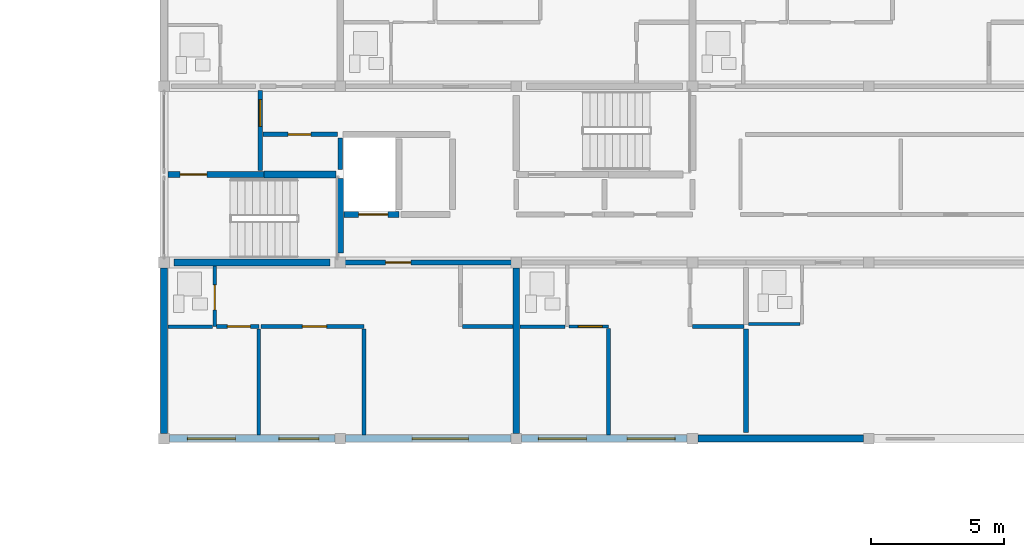
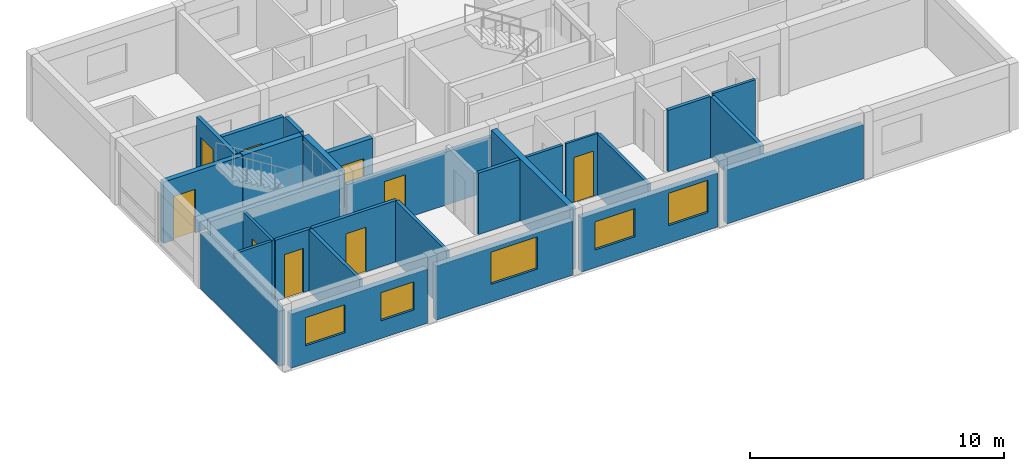
# One storey, part 24 of 34: 28 walls, 9 doors, 5 windows, 14 openings.
"""IFC4 building model written with IfcOpenShell, lengths in metres."""

from ifc_helpers import new_model, si_unit, direction, frame, frame_2d, origin, place, context, subcontext, project, spatial, rectangle, extrude, material, layer, layer_set, type_object, element, fill, save


model = new_model("IFC4")

# Units and contexts
model_context = context("Model", 3, precision=1e-05, world=origin(), true_north=direction((0.0, 1.0)))
body_context = subcontext(model_context, "Body", "Model", "MODEL_VIEW")
ifc_project = project(units=[si_unit("LENGTHUNIT", "METRE"), si_unit("AREAUNIT", "SQUARE_METRE"), si_unit("VOLUMEUNIT", "CUBIC_METRE"), si_unit("PLANEANGLEUNIT", "RADIAN"), si_unit("MASSUNIT", "GRAM", prefix="KILO")], contexts=[model_context])

# Site, building, storey
site_placement = place(None, origin())
site = spatial("IfcSite", under=ifc_project, at=site_placement, CompositionType="ELEMENT")
building_placement = place(site_placement, origin())
building = spatial("IfcBuilding", under=site, at=building_placement, Name="Kernevlak Ridge Housing Community", CompositionType="ELEMENT")
storey_placement = place(building_placement, frame((0.0, 0.0, 40.39990234375)))
storey = spatial("IfcBuildingStorey", under=building, at=storey_placement, Name="L12", CompositionType="ELEMENT", Elevation=40.39990234375)

# Wall, openings, windows
ifc_material_1 = material(Name="Concrete block masonry M10", Category="masonry")
ifc_layer_1 = layer(ifc_material_1, 0.260009765625, Name="Concrete block masonry M10")
ifc_layer_set_1 = layer_set([ifc_layer_1], Name="Concrete block masonry M10")
wall_type_1 = type_object("IfcWallType", Name="EW-05", PredefinedType="STANDARD", material=ifc_layer_set_1)
wall_1_placement = place(storey_placement, frame((119.60009765625, 82.60009765625, 0.0), z_axis=(0.0, 0.0, 1.0), x_axis=(1.0, 0.0, 0.0)))
wall_1 = element("IfcWall", 1, at=wall_1_placement, inside=storey, type_object=wall_type_1, Name="Exterior wall EW-05 L12 483", PredefinedType="STANDARD", context=body_context, shape_type="SweptSolid", body=[
    extrude(rectangle(XDim=6.199951171875, YDim=0.260009765625, at=frame_2d((3.10009765625, 0.0))), origin(), (0.0, 0.0, 1.0), 2.60009765625),
])
opening_1_placement = place(wall_1_placement, frame((0.675048828125, 0.0, 0.85009765625)))
opening_1 = element("IfcOpeningElement", 2, at=opening_1_placement, cuts=wall_1, Name="Opening WT-03", PredefinedType="OPENING", context=body_context, shape_type="SweptSolid", body=[
    extrude(rectangle(XDim=1.800048828125, YDim=1.35009765625, at=frame_2d((0.89990234375, 0.675048828125))), frame((0.0, 0.139892578125, 0.0), z_axis=(0.0, -1.0, 0.0), x_axis=(1.0, 0.0, 0.0)), (0.0, 0.0, 1.0), 0.280029296875),
])
opening_2_placement = place(wall_1_placement, frame((4.10009765625, 0.0, 0.85009765625)))
opening_2 = element("IfcOpeningElement", 3, at=opening_2_placement, cuts=wall_1, Name="Opening WT-02", PredefinedType="OPENING", context=body_context, shape_type="SweptSolid", body=[
    extrude(rectangle(XDim=1.5, YDim=1.35009765625, at=frame_2d((0.75, 0.675048828125))), frame((0.0, 0.139892578125, 0.0), z_axis=(0.0, -1.0, 0.0), x_axis=(1.0, 0.0, 0.0)), (0.0, 0.0, 1.0), 0.280029296875),
])
ifc_material_2 = material(Name="Aluminium EN AW-6060 anodised and laminated glass", Category="aluminium")
window_type_1 = type_object("IfcWindowType", Name="WT-02", PartitioningType="SINGLE_PANEL", PredefinedType="WINDOW", material=ifc_material_2)
window_1_placement = place(opening_2_placement, origin())
window_1 = element("IfcWindow", 4, at=window_1_placement, inside=storey, type_object=window_type_1, Name="Window WT-02 L12 375", OverallHeight=1.35009765625, OverallWidth=1.5, PartitioningType="SINGLE_PANEL", PredefinedType="WINDOW", context=body_context, shape_type="SweptSolid", body=[
    extrude(rectangle(XDim=1.5, YDim=1.35009765625, at=frame_2d((0.75, 0.675048828125))), frame((0.0, 0.030029296875, 0.0), z_axis=(0.0, -1.0, 0.0), x_axis=(1.0, 0.0, 0.0)), (0.0, 0.0, 1.0), 0.06005859375),
])
fill(opening_2, window_1)
window_type_2 = type_object("IfcWindowType", Name="WT-03", PartitioningType="SINGLE_PANEL", PredefinedType="WINDOW", material=ifc_material_2)
window_2_placement = place(opening_1_placement, origin())
window_2 = element("IfcWindow", 5, at=window_2_placement, inside=storey, type_object=window_type_2, Name="Window WT-03 L12 374", OverallHeight=1.35009765625, OverallWidth=1.800048828125, PartitioningType="SINGLE_PANEL", PredefinedType="WINDOW", context=body_context, shape_type="SweptSolid", body=[
    extrude(rectangle(XDim=1.800048828125, YDim=1.35009765625, at=frame_2d((0.89990234375, 0.675048828125))), frame((0.0, 0.030029296875, 0.0), z_axis=(0.0, -1.0, 0.0), x_axis=(1.0, 0.0, 0.0)), (0.0, 0.0, 1.0), 0.06005859375),
])
fill(opening_1, window_2)

# Wall, opening, window
wall_2_placement = place(storey_placement, frame((126.199951171875, 82.60009765625, 0.0), z_axis=(0.0, 0.0, 1.0), x_axis=(1.0, 0.0, 0.0)))
wall_2 = element("IfcWall", 6, at=wall_2_placement, inside=storey, type_object=wall_type_1, Name="Exterior wall EW-05 L12 484", PredefinedType="STANDARD", context=body_context, shape_type="SweptSolid", body=[
    extrude(rectangle(XDim=6.199951171875, YDim=0.260009765625, at=frame_2d((3.10009765625, 0.0))), origin(), (0.0, 0.0, 1.0), 2.60009765625),
])
opening_3_placement = place(wall_2_placement, frame((2.49609375, 0.0, 0.85009765625)))
opening_3 = element("IfcOpeningElement", 7, at=opening_3_placement, cuts=wall_2, Name="Opening WT-05", PredefinedType="OPENING", context=body_context, shape_type="SweptSolid", body=[
    extrude(rectangle(XDim=2.10009765625, YDim=1.550048828125, at=frame_2d((1.050048828125, 0.77490234375))), frame((0.0, 0.139892578125, 0.0), z_axis=(0.0, -1.0, 0.0), x_axis=(1.0, 0.0, 0.0)), (0.0, 0.0, 1.0), 0.280029296875),
])
window_type_3 = type_object("IfcWindowType", Name="WT-05", PartitioningType="SINGLE_PANEL", PredefinedType="WINDOW", material=ifc_material_2)
window_3_placement = place(opening_3_placement, origin())
window_3 = element("IfcWindow", 8, at=window_3_placement, inside=storey, type_object=window_type_3, Name="Window WT-05 L12 376", OverallHeight=1.550048828125, OverallWidth=2.10009765625, PartitioningType="SINGLE_PANEL", PredefinedType="WINDOW", context=body_context, shape_type="SweptSolid", body=[
    extrude(rectangle(XDim=2.10009765625, YDim=1.550048828125, at=frame_2d((1.050048828125, 0.77490234375))), frame((0.0, 0.030029296875, 0.0), z_axis=(0.0, -1.0, 0.0), x_axis=(1.0, 0.0, 0.0)), (0.0, 0.0, 1.0), 0.06005859375),
])
fill(opening_3, window_3)

# Wall, openings, windows
wall_3_placement = place(storey_placement, frame((132.800048828125, 82.60009765625, 0.0), z_axis=(0.0, 0.0, 1.0), x_axis=(1.0, 0.0, 0.0)))
wall_3 = element("IfcWall", 9, at=wall_3_placement, inside=storey, type_object=wall_type_1, Name="Exterior wall EW-05 L12 485", PredefinedType="STANDARD", context=body_context, shape_type="SweptSolid", body=[
    extrude(rectangle(XDim=6.199951171875, YDim=0.260009765625, at=frame_2d((3.10009765625, 0.0))), origin(), (0.0, 0.0, 1.0), 2.60009765625),
])
opening_4_placement = place(wall_3_placement, frame((0.625, 0.0, 0.85009765625)))
opening_4 = element("IfcOpeningElement", 10, at=opening_4_placement, cuts=wall_3, Name="Opening WT-03", PredefinedType="OPENING", context=body_context, shape_type="SweptSolid", body=[
    extrude(rectangle(XDim=1.800048828125, YDim=1.35009765625, at=frame_2d((0.89990234375, 0.675048828125))), frame((0.0, 0.139892578125, 0.0), z_axis=(0.0, -1.0, 0.0), x_axis=(1.0, 0.0, 0.0)), (0.0, 0.0, 1.0), 0.280029296875),
])
opening_5_placement = place(wall_3_placement, frame((3.949951171875, 0.0, 0.85009765625)))
opening_5 = element("IfcOpeningElement", 11, at=opening_5_placement, cuts=wall_3, Name="Opening WT-04", PredefinedType="OPENING", context=body_context, shape_type="SweptSolid", body=[
    extrude(rectangle(XDim=1.800048828125, YDim=1.550048828125, at=frame_2d((0.89990234375, 0.77490234375))), frame((0.0, 0.139892578125, 0.0), z_axis=(0.0, -1.0, 0.0), x_axis=(1.0, 0.0, 0.0)), (0.0, 0.0, 1.0), 0.280029296875),
])
window_4_placement = place(opening_4_placement, origin())
window_4 = element("IfcWindow", 12, at=window_4_placement, inside=storey, type_object=window_type_2, Name="Window WT-03 L12 377", OverallHeight=1.35009765625, OverallWidth=1.800048828125, PartitioningType="SINGLE_PANEL", PredefinedType="WINDOW", context=body_context, shape_type="SweptSolid", body=[
    extrude(rectangle(XDim=1.800048828125, YDim=1.35009765625, at=frame_2d((0.89990234375, 0.675048828125))), frame((0.0, 0.030029296875, 0.0), z_axis=(0.0, -1.0, 0.0), x_axis=(1.0, 0.0, 0.0)), (0.0, 0.0, 1.0), 0.06005859375),
])
fill(opening_4, window_4)
window_type_4 = type_object("IfcWindowType", Name="WT-04", PartitioningType="SINGLE_PANEL", PredefinedType="WINDOW", material=ifc_material_2)
window_5_placement = place(opening_5_placement, origin())
window_5 = element("IfcWindow", 13, at=window_5_placement, inside=storey, type_object=window_type_4, Name="Window WT-04 L12 378", OverallHeight=1.550048828125, OverallWidth=1.800048828125, PartitioningType="SINGLE_PANEL", PredefinedType="WINDOW", context=body_context, shape_type="SweptSolid", body=[
    extrude(rectangle(XDim=1.800048828125, YDim=1.550048828125, at=frame_2d((0.89990234375, 0.77490234375))), frame((0.0, 0.030029296875, 0.0), z_axis=(0.0, -1.0, 0.0), x_axis=(1.0, 0.0, 0.0)), (0.0, 0.0, 1.0), 0.06005859375),
])
fill(opening_5, window_5)

# Walls
wall_4_placement = place(storey_placement, frame((139.39990234375, 82.60009765625, 0.0), z_axis=(0.0, 0.0, 1.0), x_axis=(1.0, 0.0, 0.0)))
element("IfcWall", 14, at=wall_4_placement, inside=storey, type_object=wall_type_1, Name="Exterior wall EW-05 L12 486", PredefinedType="STANDARD", context=body_context, shape_type="SweptSolid", body=[
    extrude(rectangle(XDim=6.2001953125, YDim=0.260009765625, at=frame_2d((3.10009765625, 0.0))), origin(), (0.0, 0.0, 1.0), 2.60009765625),
])
wall_5_placement = place(storey_placement, frame((119.39990234375, 82.800048828125, 0.0), z_axis=(0.0, 0.0, 1.0), x_axis=(0.0, 1.0, 0.0)))
element("IfcWall", 15, at=wall_5_placement, inside=storey, type_object=wall_type_1, Name="Exterior wall EW-05 L12 495", PredefinedType="STANDARD", context=body_context, shape_type="SweptSolid", body=[
    extrude(rectangle(XDim=6.199951171875, YDim=0.260009765625, at=frame_2d((3.10009765625, 0.0))), origin(), (0.0, 0.0, 1.0), 2.650146484375),
])

# Wall, opening, door
ifc_material_3 = material(Name="Concrete C35/45", Category="concrete")
ifc_layer_2 = layer(ifc_material_3, 0.22509765625, Name="Concrete C35/45")
ifc_layer_set_2 = layer_set([ifc_layer_2], Name="Concrete C35/45")
wall_type_2 = type_object("IfcWallType", Name="PW-01", PredefinedType="STANDARD", material=ifc_layer_set_2)
wall_6_placement = place(storey_placement, frame((119.550048828125, 92.5, 0.0), z_axis=(0.0, 0.0, 1.0), x_axis=(1.0, 0.0, 0.0)))
wall_6 = element("IfcWall", 16, at=wall_6_placement, inside=storey, type_object=wall_type_2, Name="Interior wall PW-01 WAL-INT-L12-1891", PredefinedType="STANDARD", context=body_context, shape_type="SweptSolid", body=[
    extrude(rectangle(XDim=3.599853515625, YDim=0.22509765625, at=frame_2d((1.7998046875, 0.0))), origin(), (0.0, 0.0, 1.0), 2.945068359375),
])
opening_6_placement = place(wall_6_placement, frame((0.449951171875, 0.0, 0.0)))
opening_6 = element("IfcOpeningElement", 17, at=opening_6_placement, cuts=wall_6, Name="Opening D959", PredefinedType="OPENING", context=body_context, shape_type="SweptSolid", body=[
    extrude(rectangle(XDim=1.0, YDim=2.10009765625, at=frame_2d((0.5, 1.050048828125))), frame((0.0, 0.12255859375, 0.0), z_axis=(0.0, -1.0, 0.0), x_axis=(1.0, 0.0, 0.0)), (0.0, 0.0, 1.0), 0.2451171875),
])
ifc_material_4 = material(Name="Fire-rated sheet steel leaf", Category="steel")
door_type_1 = type_object("IfcDoorType", Name="DT-05", OperationType="NOTDEFINED", PredefinedType="DOOR", material=ifc_material_4)
door_1_placement = place(opening_6_placement, origin())
door_1 = element("IfcDoor", 18, at=door_1_placement, inside=storey, type_object=door_type_1, Name="Block B Stair 1 fire door D959", OperationType="SINGLE_SWING_LEFT", OverallHeight=2.10009765625, OverallWidth=1.0, PredefinedType="DOOR", context=body_context, shape_type="SweptSolid", body=[
    extrude(rectangle(XDim=1.0, YDim=2.10009765625, at=frame_2d((0.5, 1.050048828125))), frame((0.0, 0.02490234375, 0.0), z_axis=(0.0, -1.0, 0.0), x_axis=(1.0, 0.0, 0.0)), (0.0, 0.0, 1.0), 0.050048828125),
])
fill(opening_6, door_1)

wall_7_placement = place(storey_placement, frame((126.135009765625, 91.0, 0.0), z_axis=(0.0, 0.0, 1.0), x_axis=(1.0, 0.0, 0.0)))
wall_7 = element("IfcWall", 19, at=wall_7_placement, inside=storey, type_object=wall_type_2, Name="Interior wall PW-01 WAL-INT-L12-1895", PredefinedType="STANDARD", context=body_context, shape_type="SweptSolid", body=[
    extrude(rectangle(XDim=2.06494140625, YDim=0.22509765625, at=frame_2d((1.032470703125, 0.0))), origin(), (0.0, 0.0, 1.0), 2.945068359375),
])
opening_7_placement = place(wall_7_placement, frame((0.550048828125, 0.0, 0.0)))
opening_7 = element("IfcOpeningElement", 20, at=opening_7_placement, cuts=wall_7, Name="Opening LD51", PredefinedType="OPENING", context=body_context, shape_type="SweptSolid", body=[
    extrude(rectangle(XDim=1.10009765625, YDim=2.10009765625, at=frame_2d((0.550048828125, 1.050048828125))), frame((0.0, 0.12255859375, 0.0), z_axis=(0.0, -1.0, 0.0), x_axis=(1.0, 0.0, 0.0)), (0.0, 0.0, 1.0), 0.2451171875),
])
ifc_material_5 = material(Name="Stainless steel EN 1.4401", Category="steel")
door_type_2 = type_object("IfcDoorType", Name="DT-LD1", OperationType="DOUBLE_DOOR_SLIDING", PredefinedType="DOOR", material=ifc_material_5)
door_2_placement = place(opening_7_placement, origin())
door_2 = element("IfcDoor", 21, at=door_2_placement, inside=storey, type_object=door_type_2, Name="Lift LF-B1 landing door LD51", OperationType="DOUBLE_DOOR_SLIDING", OverallHeight=2.10009765625, OverallWidth=1.10009765625, PredefinedType="DOOR", context=body_context, shape_type="SweptSolid", body=[
    extrude(rectangle(XDim=1.10009765625, YDim=2.10009765625, at=frame_2d((0.550048828125, 1.050048828125))), frame((0.0, 0.02490234375, 0.0), z_axis=(0.0, -1.0, 0.0), x_axis=(1.0, 0.0, 0.0)), (0.0, 0.0, 1.0), 0.050048828125),
])
fill(opening_7, door_2)

ifc_layer_3 = layer(ifc_material_1, 0.175048828125, Name="Concrete block masonry M10")
ifc_layer_set_3 = layer_set([ifc_layer_3], Name="Concrete block masonry M10")
wall_type_3 = type_object("IfcWallType", Name="PW-02", PredefinedType="PARTITIONING", material=ifc_layer_set_3)
wall_8_placement = place(storey_placement, frame((123.0, 92.64990234375, 0.0), z_axis=(0.0, 0.0, 1.0), x_axis=(0.0, 1.0, 0.0)))
wall_8 = element("IfcWall", 22, at=wall_8_placement, inside=storey, type_object=wall_type_3, Name="Interior wall PW-02 WAL-INT-L12-1892", PredefinedType="PARTITIONING", context=body_context, shape_type="SweptSolid", body=[
    extrude(rectangle(XDim=3.0, YDim=0.175048828125, at=frame_2d((1.5, 0.0))), origin(), (0.0, 0.0, 1.0), 2.945068359375),
])
opening_8_placement = place(wall_8_placement, frame((1.64990234375, 0.0, 0.0)))
opening_8 = element("IfcOpeningElement", 23, at=opening_8_placement, cuts=wall_8, Name="Opening D960", PredefinedType="OPENING", context=body_context, shape_type="SweptSolid", body=[
    extrude(rectangle(XDim=1.0, YDim=2.159912109375, at=frame_2d((0.5, 1.080078125))), frame((0.0, 0.097412109375, 0.0), z_axis=(0.0, -1.0, 0.0), x_axis=(1.0, 0.0, 0.0)), (0.0, 0.0, 1.0), 0.195068359375),
])
door_type_3 = type_object("IfcDoorType", Name="DT-15", OperationType="NOTDEFINED", PredefinedType="DOOR", material=ifc_material_4)
door_3_placement = place(opening_8_placement, origin())
door_3 = element("IfcDoor", 24, at=door_3_placement, inside=storey, type_object=door_type_3, Name="Block B Firefighting lobby 1 door D960", OperationType="SINGLE_SWING_RIGHT", OverallHeight=2.159912109375, OverallWidth=1.0, PredefinedType="DOOR", context=body_context, shape_type="SweptSolid", body=[
    extrude(rectangle(XDim=1.0, YDim=2.159912109375, at=frame_2d((0.5, 1.080078125))), frame((0.0, 0.02490234375, 0.0), z_axis=(0.0, -1.0, 0.0), x_axis=(1.0, 0.0, 0.0)), (0.0, 0.0, 1.0), 0.050048828125),
])
fill(opening_8, door_3)

wall_9_placement = place(storey_placement, frame((123.10009765625, 94.0, 0.0), z_axis=(0.0, 0.0, 1.0), x_axis=(1.0, 0.0, 0.0)))
wall_9 = element("IfcWall", 25, at=wall_9_placement, inside=storey, type_object=wall_type_3, Name="Interior wall PW-02 WAL-INT-L12-1893", PredefinedType="PARTITIONING", context=body_context, shape_type="SweptSolid", body=[
    extrude(rectangle(XDim=2.7998046875, YDim=0.175048828125, at=frame_2d((1.39990234375, 0.0))), origin(), (0.0, 0.0, 1.0), 2.945068359375),
])
opening_9_placement = place(wall_9_placement, frame((0.949951171875, 0.0, 0.0)))
opening_9 = element("IfcOpeningElement", 26, at=opening_9_placement, cuts=wall_9, Name="Opening D961", PredefinedType="OPENING", context=body_context, shape_type="SweptSolid", body=[
    extrude(rectangle(XDim=0.85009765625, YDim=2.0, at=frame_2d((0.425048828125, 1.0))), frame((0.0, 0.097412109375, 0.0), z_axis=(0.0, -1.0, 0.0), x_axis=(1.0, 0.0, 0.0)), (0.0, 0.0, 1.0), 0.195068359375),
])
door_type_4 = type_object("IfcDoorType", Name="DT-07", OperationType="NOTDEFINED", PredefinedType="DOOR", material=ifc_material_4)
door_4_placement = place(opening_9_placement, origin())
door_4 = element("IfcDoor", 27, at=door_4_placement, inside=storey, type_object=door_type_4, Name="Block B Riser shaft door D961", OperationType="SINGLE_SWING_LEFT", OverallHeight=2.0, OverallWidth=0.85009765625, PredefinedType="DOOR", context=body_context, shape_type="SweptSolid", body=[
    extrude(rectangle(XDim=0.85009765625, YDim=2.0, at=frame_2d((0.425048828125, 1.0))), frame((0.0, 0.02490234375, 0.0), z_axis=(0.0, -1.0, 0.0), x_axis=(1.0, 0.0, 0.0)), (0.0, 0.0, 1.0), 0.050048828125),
])
fill(opening_9, door_4)

# Wall
wall_10_placement = place(storey_placement, frame((126.0, 92.679931640625, 0.0), z_axis=(0.0, 0.0, 1.0), x_axis=(0.0, 1.0, 0.0)))
element("IfcWall", 28, at=wall_10_placement, inside=storey, type_object=wall_type_3, Name="Interior wall PW-02 WAL-INT-L12-1894", PredefinedType="PARTITIONING", context=body_context, shape_type="SweptSolid", body=[
    extrude(rectangle(XDim=1.190185546875, YDim=0.175048828125, at=frame_2d((0.59521484375, 0.0))), origin(), (0.0, 0.0, 1.0), 2.945068359375),
])

# Wall, opening, door
wall_11_placement = place(storey_placement, frame((126.0, 89.199951171875, 0.0), z_axis=(0.0, 0.0, 1.0), x_axis=(1.0, 0.0, 0.0)))
wall_11 = element("IfcWall", 29, at=wall_11_placement, inside=storey, type_object=wall_type_3, Name="Interior wall PW-02 WAL-INT-L12-1912", PredefinedType="PARTITIONING", context=body_context, shape_type="SweptSolid", body=[
    extrude(rectangle(XDim=6.60009765625, YDim=0.175048828125, at=frame_2d((3.300048828125, 0.0))), origin(), (0.0, 0.0, 1.0), 2.550048828125),
])
opening_10_placement = place(wall_11_placement, frame((1.699951171875, 0.0, 0.0)))
opening_10 = element("IfcOpeningElement", 30, at=opening_10_placement, cuts=wall_11, Name="Opening D967", PredefinedType="OPENING", context=body_context, shape_type="SweptSolid", body=[
    extrude(rectangle(XDim=0.949951171875, YDim=2.10009765625, at=frame_2d((0.47509765625, 1.050048828125))), frame((0.0, 0.097412109375, 0.0), z_axis=(0.0, -1.0, 0.0), x_axis=(1.0, 0.0, 0.0)), (0.0, 0.0, 1.0), 0.195068359375),
])
ifc_material_6 = material(Name="Hardwood timber solid-core fire leaf", Category="wood")
door_type_5 = type_object("IfcDoorType", Name="DT-01", OperationType="NOTDEFINED", PredefinedType="DOOR", material=ifc_material_6)
door_5_placement = place(opening_10_placement, origin())
door_5 = element("IfcDoor", 31, at=door_5_placement, inside=storey, type_object=door_type_5, Name="Flat B1211 entrance fire door D967", OperationType="SINGLE_SWING_LEFT", OverallHeight=2.10009765625, OverallWidth=0.949951171875, PredefinedType="DOOR", context=body_context, shape_type="SweptSolid", body=[
    extrude(rectangle(XDim=0.949951171875, YDim=2.10009765625, at=frame_2d((0.47509765625, 1.050048828125))), frame((0.0, 0.02490234375, 0.0), z_axis=(0.0, -1.0, 0.0), x_axis=(1.0, 0.0, 0.0)), (0.0, 0.0, 1.0), 0.050048828125),
])
fill(opening_10, door_5)

# Wall
wall_12_placement = place(storey_placement, frame((141.199951171875, 86.71240234375, 0.0), z_axis=(0.0, 0.0, 1.0), x_axis=(0.0, -1.0, 0.0)))
element("IfcWall", 32, at=wall_12_placement, inside=storey, type_object=wall_type_3, Name="Interior wall PW-02 WAL-INT-L12-1928-S2", PredefinedType="PARTITIONING", context=body_context, shape_type="SweptSolid", body=[
    extrude(rectangle(XDim=3.88232421875, YDim=0.175048828125, at=frame_2d((1.941162109375, 0.0))), origin(), (0.0, 0.0, 1.0), 2.945068359375),
])

# Wall, opening, door
ifc_layer_4 = layer(ifc_material_1, 0.14501953125, Name="Concrete block masonry M10")
ifc_layer_set_4 = layer_set([ifc_layer_4], Name="Concrete block masonry M10")
wall_type_4 = type_object("IfcWallType", Name="PW-03", PredefinedType="PARTITIONING", material=ifc_layer_set_4)
wall_13_placement = place(storey_placement, frame((121.37255859375, 86.800048828125, 0.0), z_axis=(0.0, 0.0, 1.0), x_axis=(1.0, 0.0, 0.0)))
wall_13 = element("IfcWall", 33, at=wall_13_placement, inside=storey, type_object=wall_type_4, Name="Interior wall PW-03 WAL-INT-L12-1917", PredefinedType="PARTITIONING", context=body_context, shape_type="SweptSolid", body=[
    extrude(rectangle(XDim=1.577392578125, YDim=0.14501953125, at=frame_2d((0.78857421875, 0.0))), origin(), (0.0, 0.0, 1.0), 2.945068359375),
])
opening_11_placement = place(wall_13_placement, frame((0.39990234375, 0.0, 0.0)))
opening_11 = element("IfcOpeningElement", 34, at=opening_11_placement, cuts=wall_13, Name="Opening D970", PredefinedType="OPENING", context=body_context, shape_type="SweptSolid", body=[
    extrude(rectangle(XDim=0.860107421875, YDim=2.1201171875, at=frame_2d((0.43017578125, 1.06005859375))), frame((0.0, 0.08251953125, 0.0), z_axis=(0.0, -1.0, 0.0), x_axis=(1.0, 0.0, 0.0)), (0.0, 0.0, 1.0), 0.1650390625),
])
ifc_material_7 = material(Name="Hardwood timber leaf", Category="wood")
door_type_6 = type_object("IfcDoorType", Name="DT-28", OperationType="NOTDEFINED", PredefinedType="DOOR", material=ifc_material_7)
door_6_placement = place(opening_11_placement, origin())
door_6 = element("IfcDoor", 35, at=door_6_placement, inside=storey, type_object=door_type_6, Name="Flat B1211 bedroom door D970", OperationType="SINGLE_SWING_RIGHT", OverallHeight=2.1201171875, OverallWidth=0.860107421875, PredefinedType="DOOR", context=body_context, shape_type="SweptSolid", body=[
    extrude(rectangle(XDim=0.860107421875, YDim=2.1201171875, at=frame_2d((0.43017578125, 1.06005859375))), frame((0.0, 0.02490234375, 0.0), z_axis=(0.0, -1.0, 0.0), x_axis=(1.0, 0.0, 0.0)), (0.0, 0.0, 1.0), 0.050048828125),
])
fill(opening_11, door_6)

# Wall
wall_14_placement = place(storey_placement, frame((122.949951171875, 86.717529296875, 0.0), z_axis=(0.0, 0.0, 1.0), x_axis=(0.0, -1.0, 0.0)))
element("IfcWall", 36, at=wall_14_placement, inside=storey, type_object=wall_type_4, Name="Interior wall PW-03 WAL-INT-L12-1918", PredefinedType="PARTITIONING", context=body_context, shape_type="SweptSolid", body=[
    extrude(rectangle(XDim=3.9775390625, YDim=0.14501953125, at=frame_2d((1.98876953125, 0.0))), origin(), (0.0, 0.0, 1.0), 2.945068359375),
])

# Wall, opening, door
wall_15_placement = place(storey_placement, frame((123.032470703125, 86.800048828125, 0.0), z_axis=(0.0, 0.0, 1.0), x_axis=(1.0, 0.0, 0.0)))
wall_15 = element("IfcWall", 37, at=wall_15_placement, inside=storey, type_object=wall_type_4, Name="Interior wall PW-03 WAL-INT-L12-1919", PredefinedType="PARTITIONING", context=body_context, shape_type="SweptSolid", body=[
    extrude(rectangle(XDim=3.859619140625, YDim=0.14501953125, at=frame_2d((1.9296875, 0.0))), origin(), (0.0, 0.0, 1.0), 2.945068359375),
])
opening_12_placement = place(wall_15_placement, frame((1.5458984375, 0.0, 0.0)))
opening_12 = element("IfcOpeningElement", 38, at=opening_12_placement, cuts=wall_15, Name="Opening D971", PredefinedType="OPENING", context=body_context, shape_type="SweptSolid", body=[
    extrude(rectangle(XDim=0.909912109375, YDim=2.139892578125, at=frame_2d((0.455078125, 1.06982421875))), frame((0.0, 0.08251953125, 0.0), z_axis=(0.0, -1.0, 0.0), x_axis=(1.0, 0.0, 0.0)), (0.0, 0.0, 1.0), 0.1650390625),
])
door_type_7 = type_object("IfcDoorType", Name="DT-31", OperationType="NOTDEFINED", PredefinedType="DOOR", material=ifc_material_7)
door_7_placement = place(opening_12_placement, origin())
door_7 = element("IfcDoor", 39, at=door_7_placement, inside=storey, type_object=door_type_7, Name="Flat B1211 bedroom door D971", OperationType="SINGLE_SWING_LEFT", OverallHeight=2.139892578125, OverallWidth=0.909912109375, PredefinedType="DOOR", context=body_context, shape_type="SweptSolid", body=[
    extrude(rectangle(XDim=0.909912109375, YDim=2.139892578125, at=frame_2d((0.455078125, 1.06982421875))), frame((0.0, 0.02490234375, 0.0), z_axis=(0.0, -1.0, 0.0), x_axis=(1.0, 0.0, 0.0)), (0.0, 0.0, 1.0), 0.050048828125),
])
fill(opening_12, door_7)

# Walls
wall_16_placement = place(storey_placement, frame((126.89208984375, 86.717529296875, 0.0), z_axis=(0.0, 0.0, 1.0), x_axis=(0.0, -1.0, 0.0)))
element("IfcWall", 40, at=wall_16_placement, inside=storey, type_object=wall_type_4, Name="Interior wall PW-03 WAL-INT-L12-1920", PredefinedType="PARTITIONING", context=body_context, shape_type="SweptSolid", body=[
    extrude(rectangle(XDim=3.9775390625, YDim=0.14501953125, at=frame_2d((1.98876953125, 0.0))), origin(), (0.0, 0.0, 1.0), 2.945068359375),
])
wall_17_placement = place(storey_placement, frame((136.050048828125, 86.719970703125, 0.0), z_axis=(0.0, 0.0, 1.0), x_axis=(0.0, -1.0, 0.0)))
element("IfcWall", 41, at=wall_17_placement, inside=storey, type_object=wall_type_4, Name="Interior wall PW-03 WAL-INT-L12-1927", PredefinedType="PARTITIONING", context=body_context, shape_type="SweptSolid", body=[
    extrude(rectangle(XDim=3.97998046875, YDim=0.14501953125, at=frame_2d((1.989990234375, 0.0))), origin(), (0.0, 0.0, 1.0), 2.945068359375),
])

# Wall, opening, door
ifc_material_8 = material(Name="Gypsum plasterboard EN 520", Category="gypsum")
ifc_layer_5 = layer(ifc_material_8, 0.125, Name="Gypsum plasterboard EN 520")
ifc_layer_set_5 = layer_set([ifc_layer_5], Name="Gypsum plasterboard EN 520")
wall_type_5 = type_object("IfcWallType", Name="PW-04", PredefinedType="PARTITIONING", material=ifc_layer_set_5)
wall_18_placement = place(storey_placement, frame((121.300048828125, 89.06494140625, 0.0), z_axis=(0.0, 0.0, 1.0), x_axis=(0.0, -1.0, 0.0)))
wall_18 = element("IfcWall", 42, at=wall_18_placement, inside=storey, type_object=wall_type_5, Name="Interior wall PW-04 WAL-INT-L12-1913", PredefinedType="PARTITIONING", context=body_context, shape_type="SweptSolid", body=[
    extrude(rectangle(XDim=2.264892578125, YDim=0.125, at=frame_2d((1.13232421875, 0.0))), origin(), (0.0, 0.0, 1.0), 2.945068359375),
])
opening_13_placement = place(wall_18_placement, frame((0.699951171875, 0.0, 0.0)))
opening_13 = element("IfcOpeningElement", 43, at=opening_13_placement, cuts=wall_18, Name="Opening D968", PredefinedType="OPENING", context=body_context, shape_type="SweptSolid", body=[
    extrude(rectangle(XDim=0.93994140625, YDim=2.080078125, at=frame_2d((0.469970703125, 1.0400390625))), frame((0.0, 0.072509765625, 0.0), z_axis=(0.0, -1.0, 0.0), x_axis=(1.0, 0.0, 0.0)), (0.0, 0.0, 1.0), 0.14501953125),
])
ifc_material_9 = material(Name="Hardwood timber moisture-resistant leaf", Category="wood")
door_type_8 = type_object("IfcDoorType", Name="DT-23", OperationType="NOTDEFINED", PredefinedType="DOOR", material=ifc_material_9)
door_8_placement = place(opening_13_placement, origin())
door_8 = element("IfcDoor", 44, at=door_8_placement, inside=storey, type_object=door_type_8, Name="Flat B1211 bathroom door D968", OperationType="SINGLE_SWING_RIGHT", OverallHeight=2.080078125, OverallWidth=0.93994140625, PredefinedType="DOOR", context=body_context, shape_type="SweptSolid", body=[
    extrude(rectangle(XDim=0.93994140625, YDim=2.080078125, at=frame_2d((0.469970703125, 1.0400390625))), frame((0.0, 0.02490234375, 0.0), z_axis=(0.0, -1.0, 0.0), x_axis=(1.0, 0.0, 0.0)), (0.0, 0.0, 1.0), 0.050048828125),
])
fill(opening_13, door_8)

# Walls
wall_19_placement = place(storey_placement, frame((119.5400390625, 86.800048828125, 0.0), z_axis=(0.0, 0.0, 1.0), x_axis=(1.0, 0.0, 0.0)))
element("IfcWall", 45, at=wall_19_placement, inside=storey, type_object=wall_type_5, Name="Interior wall PW-04 WAL-INT-L12-1914", PredefinedType="PARTITIONING", context=body_context, shape_type="SweptSolid", body=[
    extrude(rectangle(XDim=1.679931640625, YDim=0.125, at=frame_2d((0.83984375, 0.0))), origin(), (0.0, 0.0, 1.0), 2.945068359375),
])
wall_20_placement = place(storey_placement, frame((132.735107421875, 86.800048828125, 0.0), z_axis=(0.0, 0.0, 1.0), x_axis=(1.0, 0.0, 0.0)))
element("IfcWall", 46, at=wall_20_placement, inside=storey, type_object=wall_type_5, Name="Interior wall PW-04 WAL-INT-L12-1923", PredefinedType="PARTITIONING", context=body_context, shape_type="SweptSolid", body=[
    extrude(rectangle(XDim=1.684814453125, YDim=0.125, at=frame_2d((0.84228515625, 0.0))), origin(), (0.0, 0.0, 1.0), 2.945068359375),
])
wall_21_placement = place(storey_placement, frame((141.297607421875, 86.89990234375, 0.0), z_axis=(0.0, 0.0, 1.0), x_axis=(1.0, 0.0, 0.0)))
element("IfcWall", 47, at=wall_21_placement, inside=storey, type_object=wall_type_5, Name="Interior wall PW-04 WAL-INT-L12-1931", PredefinedType="PARTITIONING", context=body_context, shape_type="SweptSolid", body=[
    extrude(rectangle(XDim=1.92236328125, YDim=0.125, at=frame_2d((0.961181640625, 0.0))), origin(), (0.0, 0.0, 1.0), 2.945068359375),
])
ifc_layer_6 = layer(ifc_material_8, 0.155029296875, Name="Gypsum plasterboard EN 520")
ifc_layer_set_6 = layer_set([ifc_layer_6], Name="Gypsum plasterboard EN 520")
wall_type_6 = type_object("IfcWallType", Name="PW-05", PredefinedType="PARTITIONING", material=ifc_layer_set_6)
wall_22_placement = place(storey_placement, frame((130.58740234375, 86.800048828125, 0.0), z_axis=(0.0, 0.0, 1.0), x_axis=(1.0, 0.0, 0.0)))
element("IfcWall", 48, at=wall_22_placement, inside=storey, type_object=wall_type_6, Name="Interior wall PW-05 WAL-INT-L12-1916", PredefinedType="PARTITIONING", context=body_context, shape_type="SweptSolid", body=[
    extrude(rectangle(XDim=1.877685546875, YDim=0.155029296875, at=frame_2d((0.93896484375, 0.0))), origin(), (0.0, 0.0, 1.0), 2.945068359375),
])
wall_23_placement = place(storey_placement, frame((139.1875, 86.800048828125, 0.0), z_axis=(0.0, 0.0, 1.0), x_axis=(1.0, 0.0, 0.0)))
element("IfcWall", 49, at=wall_23_placement, inside=storey, type_object=wall_type_6, Name="Interior wall PW-05 WAL-INT-L12-1925", PredefinedType="PARTITIONING", context=body_context, shape_type="SweptSolid", body=[
    extrude(rectangle(XDim=1.9326171875, YDim=0.155029296875, at=frame_2d((0.96630859375, 0.0))), origin(), (0.0, 0.0, 1.0), 2.945068359375),
])

# Wall, opening, door
ifc_layer_7 = layer(ifc_material_8, 0.10498046875, Name="Gypsum plasterboard EN 520")
ifc_layer_set_7 = layer_set([ifc_layer_7], Name="Gypsum plasterboard EN 520")
wall_type_7 = type_object("IfcWallType", Name="PW-06", PredefinedType="PARTITIONING", material=ifc_layer_set_7)
wall_24_placement = place(storey_placement, frame((134.572509765625, 86.800048828125, 0.0), z_axis=(0.0, 0.0, 1.0), x_axis=(1.0, 0.0, 0.0)))
wall_24 = element("IfcWall", 50, at=wall_24_placement, inside=storey, type_object=wall_type_7, Name="Interior wall PW-06 WAL-INT-L12-1926", PredefinedType="PARTITIONING", context=body_context, shape_type="SweptSolid", body=[
    extrude(rectangle(XDim=1.4775390625, YDim=0.10498046875, at=frame_2d((0.73876953125, 0.0))), origin(), (0.0, 0.0, 1.0), 2.945068359375),
])
opening_14_placement = place(wall_24_placement, frame((0.35009765625, 0.0, 0.0)))
opening_14 = element("IfcOpeningElement", 51, at=opening_14_placement, cuts=wall_24, Name="Opening D975", PredefinedType="OPENING", context=body_context, shape_type="SweptSolid", body=[
    extrude(rectangle(XDim=0.89990234375, YDim=2.159912109375, at=frame_2d((0.449951171875, 1.080078125))), frame((0.0, 0.0625, 0.0), z_axis=(0.0, -1.0, 0.0), x_axis=(1.0, 0.0, 0.0)), (0.0, 0.0, 1.0), 0.125),
])
door_type_9 = type_object("IfcDoorType", Name="DT-22", OperationType="NOTDEFINED", PredefinedType="DOOR", material=ifc_material_7)
door_9_placement = place(opening_14_placement, origin())
door_9 = element("IfcDoor", 52, at=door_9_placement, inside=storey, type_object=door_type_9, Name="Flat B1212 bedroom door D975", OperationType="SINGLE_SWING_LEFT", OverallHeight=2.159912109375, OverallWidth=0.89990234375, PredefinedType="DOOR", context=body_context, shape_type="SweptSolid", body=[
    extrude(rectangle(XDim=0.89990234375, YDim=2.159912109375, at=frame_2d((0.449951171875, 1.080078125))), frame((0.0, 0.02490234375, 0.0), z_axis=(0.0, -1.0, 0.0), x_axis=(1.0, 0.0, 0.0)), (0.0, 0.0, 1.0), 0.050048828125),
])
fill(opening_14, door_9)

# Walls
ifc_material_10 = material(Name="Concrete C40/50", Category="concrete")
ifc_layer_8 = layer(ifc_material_10, 0.25, Name="Concrete C40/50")
ifc_layer_set_8 = layer_set([ifc_layer_8], Name="Concrete C40/50")
wall_type_8 = type_object("IfcWallType", Name="SW-03", PredefinedType="SHEAR", material=ifc_layer_set_8)
wall_25_placement = place(storey_placement, frame((119.780029296875, 89.199951171875, 0.0), z_axis=(0.0, 0.0, 1.0), x_axis=(1.0, 0.0, 0.0)))
element("IfcWall", 53, at=wall_25_placement, inside=storey, type_object=wall_type_8, Name="Shear wall SW-03 Block B L12 331", PredefinedType="SHEAR", context=body_context, shape_type="SweptSolid", body=[
    extrude(rectangle(XDim=5.840087890625, YDim=0.25, at=frame_2d((2.919921875, 0.0))), origin(), (0.0, 0.0, 1.0), 2.97998046875),
])
wall_26_placement = place(storey_placement, frame((123.14990234375, 92.5, 0.0), z_axis=(0.0, 0.0, 1.0), x_axis=(1.0, 0.0, 0.0)))
element("IfcWall", 54, at=wall_26_placement, inside=storey, type_object=wall_type_8, Name="Shear wall SW-03 Block B L12 332", PredefinedType="SHEAR", context=body_context, shape_type="SweptSolid", body=[
    extrude(rectangle(XDim=2.7001953125, YDim=0.25, at=frame_2d((1.35009765625, 0.0))), origin(), (0.0, 0.0, 1.0), 2.97998046875),
])
wall_27_placement = place(storey_placement, frame((126.0, 89.550048828125, 0.0), z_axis=(0.0, 0.0, 1.0), x_axis=(0.0, 1.0, 0.0)))
element("IfcWall", 55, at=wall_27_placement, inside=storey, type_object=wall_type_8, Name="Shear wall SW-03 Block B L12 333", PredefinedType="SHEAR", context=body_context, shape_type="SweptSolid", body=[
    extrude(rectangle(XDim=2.800048828125, YDim=0.25, at=frame_2d((1.39990234375, 0.0))), origin(), (0.0, 0.0, 1.0), 2.97998046875),
])
wall_28_placement = place(storey_placement, frame((132.60009765625, 82.800048828125, 0.0), z_axis=(0.0, 0.0, 1.0), x_axis=(0.0, 1.0, 0.0)))
element("IfcWall", 56, at=wall_28_placement, inside=storey, type_object=wall_type_8, Name="Shear wall SW-03 Block B L12 338", PredefinedType="SHEAR", context=body_context, shape_type="SweptSolid", body=[
    extrude(rectangle(XDim=6.199951171875, YDim=0.25, at=frame_2d((3.10009765625, 0.0))), origin(), (0.0, 0.0, 1.0), 2.97998046875),
])

save(model, "model.ifc")
